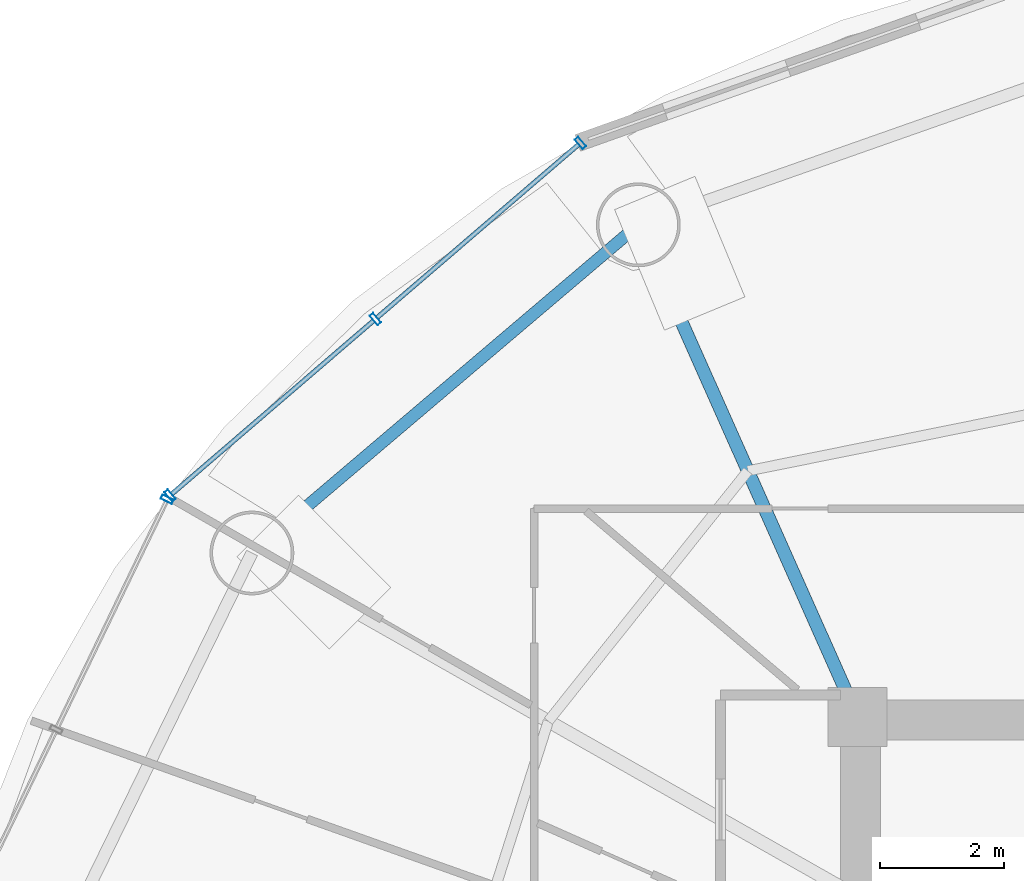
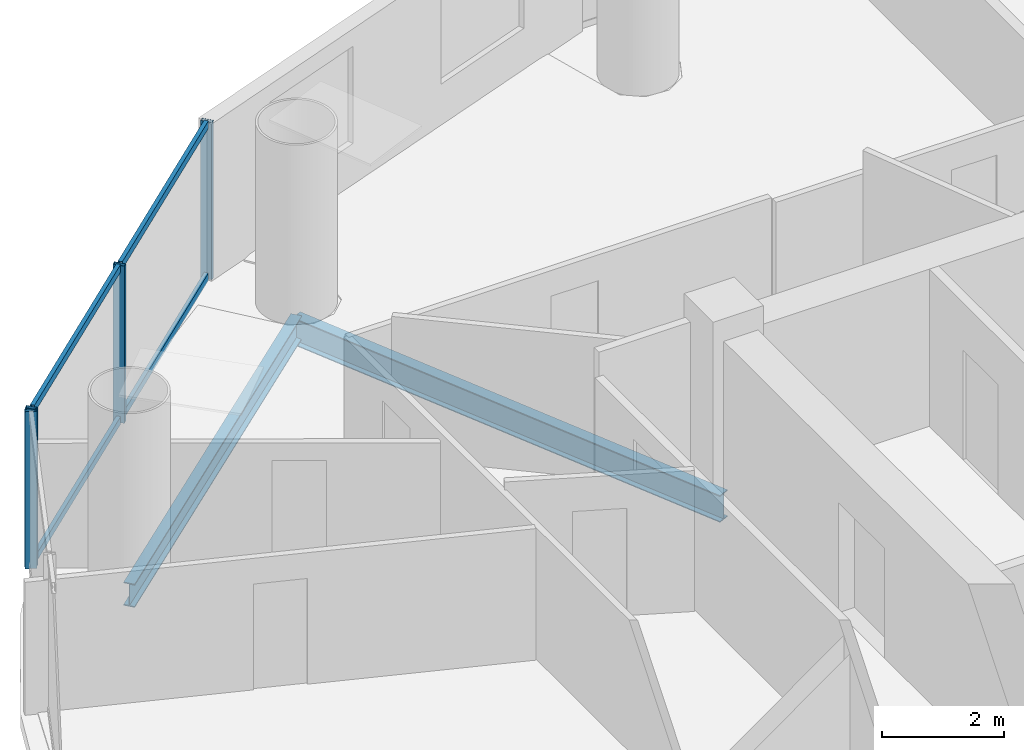
# One storey, part 14 of 26: 8 members, 2 beams, 2 elements without a shape of their own.
"""IFC4 building model written with IfcOpenShell, lengths in metres."""

from ifc_helpers import new_model, si_unit, direction, frame, origin, origin_2d, place, context, subcontext, project, spatial, hollow_rectangle, i_section, extrude, source, transform, mapped, material, material_profile, profile_set, type_object, element, aggregate, save


model = new_model("IFC4")

# Units and contexts
model_context = context("Model", 3, precision=1e-05, world=origin(), true_north=direction((-0.2419218956, 0.970295726276)))
body_context = subcontext(model_context, "Body", "Model", "MODEL_VIEW")
ifc_project = project(units=[si_unit("LENGTHUNIT", "METRE"), si_unit("AREAUNIT", "SQUARE_METRE"), si_unit("VOLUMEUNIT", "CUBIC_METRE"), si_unit("PLANEANGLEUNIT", "RADIAN"), si_unit("MASSUNIT", "GRAM", prefix="KILO")], contexts=[model_context])

# Site, building, storey
site_placement = place(None, origin())
site = spatial("IfcSite", under=ifc_project, at=site_placement, CompositionType="ELEMENT")
building_placement = place(site_placement, origin())
building = spatial("IfcBuilding", under=site, at=building_placement, Name="Cobrevalo Terracotta Tower", CompositionType="ELEMENT")
storey_placement = place(building_placement, frame((0.0, 0.0, 182.199951171875)))
storey = spatial("IfcBuildingStorey", under=building, at=storey_placement, Name="L48", CompositionType="ELEMENT", Elevation=182.199951171875)

# Beams
ifc_material_1 = material(Name="Steel S355", Category="steel")
ifc_material_profile_1 = material_profile(ifc_material_1, i_section(OverallWidth=0.2109375, OverallDepth=0.5390625, WebThickness=0.01171875, FlangeThickness=0.018798828125, at=origin_2d()), Name="W 530x109")
ifc_profile_set_1 = profile_set([ifc_material_profile_1], Name="Steel S355")
beam_type_1 = type_object("IfcBeamType", Name="Structural Beam W 530x109 (Steel S355)", PredefinedType="BEAM", material=ifc_profile_set_1)
beam_1_placement = place(storey_placement, frame((25.471923828125, 42.72265625, -0.53955078125), z_axis=(0.406804395691, -0.913515289224, 0.0), x_axis=(0.913515289224, 0.406804395691, 0.0)))
element("IfcBeam", 1, at=beam_1_placement, inside=storey, type_object=beam_type_1, Name="L48 radial floor girder 06", PredefinedType="BEAM", context=body_context, shape_type="SweptSolid", body=[
    extrude(i_section(OverallWidth=0.2109375, OverallDepth=0.5390625, WebThickness=0.01171875, FlangeThickness=0.018798828125, at=origin_2d()), origin(), (0.0, 0.0, 1.0), 8.672607421875),
])
ifc_material_profile_2 = material_profile(ifc_material_1, i_section(OverallWidth=0.194091796875, OverallDepth=0.468994140625, WebThickness=0.011474609375, FlangeThickness=0.0205078125, at=origin_2d()), Name="W 460x106")
ifc_profile_set_2 = profile_set([ifc_material_profile_2], Name="Steel S355")
beam_type_2 = type_object("IfcBeamType", Name="Structural Spandrel W 460x106 (Steel S355)", PredefinedType="SPANDREL", material=ifc_profile_set_2)
beam_2_placement = place(storey_placement, frame((25.471923828125, 42.72265625, -0.50439453125), z_axis=(-0.762240337798, -0.647294112003, 0.0), x_axis=(0.647294112003, -0.762240337798, 0.0)))
element("IfcBeam", 2, at=beam_2_placement, inside=storey, type_object=beam_type_2, Name="L48 perimeter ring spandrel 06", PredefinedType="SPANDREL", context=body_context, shape_type="SweptSolid", body=[
    extrude(i_section(OverallWidth=0.194091796875, OverallDepth=0.468994140625, WebThickness=0.011474609375, FlangeThickness=0.0205078125, at=origin_2d()), origin(), (0.0, 0.0, 1.0), 8.162353515625),
])

# Curtain wall, members
ifc_material_2 = material(Name="Anodized aluminium", Category="aluminium")
curtain_wall_type = type_object("IfcCurtainWallType", Name="Mid-tower high-wind unitised curtain wall CW-U2", PredefinedType="NOTDEFINED", material=ifc_material_2)
curtain_wall_1_placement = place(storey_placement, origin())
curtain_wall_1 = element("IfcCurtainWall", 3, at=curtain_wall_1_placement, inside=storey, type_object=curtain_wall_type, Name="L48 curtain wall CW-L48-S06", PredefinedType="NOTDEFINED")
ifc_material_profile_3 = material_profile(ifc_material_2, hollow_rectangle(XDim=0.074951171875, YDim=0.14990234375, WallThickness=0.00439453125, at=origin_2d()), Name="CWT 75x150")
ifc_profile_set_3 = profile_set([ifc_material_profile_3], Name="Anodized aluminium")
member_type_1 = type_object("IfcMemberType", Name="Tower unitised aluminium transom 75x150", PredefinedType="USERDEFINED", material=ifc_profile_set_3)
shared_shape_1 = source(origin(), body_context, "Body", "SweptSolid", [
    extrude(hollow_rectangle(XDim=0.074951171875, YDim=0.14990234375, WallThickness=0.00439453125, at=origin_2d()), origin(), (0.0, 0.0, 1.0), 4.276123046875),
])
member_1_placement = place(storey_placement, frame((24.51123046875, 44.017578125, 0.050048828125), z_axis=(-0.758417719247, -0.651768795764, 0.0), x_axis=(0.651768795764, -0.758417719247, 0.0)))
member_1 = element("IfcMember", 4, at=member_1_placement, type_object=member_type_1, Name="CW-L48-S06 transom B01-T1", ObjectType="TRANSOM", PredefinedType="USERDEFINED", context=body_context, shape_type="MappedRepresentation", body=[
    mapped(shared_shape_1, transform((0.0, 0.0, 0.0), scale=1.0)),
])
member_2_placement = place(storey_placement, frame((24.51123046875, 44.017578125, 3.10009765625), z_axis=(-0.758417719247, -0.651768795764, 0.0), x_axis=(0.651768795764, -0.758417719247, 0.0)))
member_2 = element("IfcMember", 5, at=member_2_placement, type_object=member_type_1, Name="CW-L48-S06 transom B01-T2", ObjectType="TRANSOM", PredefinedType="USERDEFINED", context=body_context, shape_type="MappedRepresentation", body=[
    mapped(shared_shape_1, transform((0.0, 0.0, 0.0), scale=1.0)),
])
member_3_placement = place(storey_placement, frame((21.207275390625, 41.17822265625, 0.050048828125), z_axis=(-0.758445941187, -0.65173595443, 0.0), x_axis=(0.65173595443, -0.758445941187, 0.0)))
member_3 = element("IfcMember", 6, at=member_3_placement, type_object=member_type_1, Name="CW-L48-S06 transom B02-T1", ObjectType="TRANSOM", PredefinedType="USERDEFINED", context=body_context, shape_type="MappedRepresentation", body=[
    mapped(shared_shape_1, transform((0.0, 0.0, 0.0), scale=1.0)),
])
member_4_placement = place(storey_placement, frame((21.207275390625, 41.17822265625, 3.10009765625), z_axis=(-0.758445941187, -0.65173595443, 0.0), x_axis=(0.65173595443, -0.758445941187, 0.0)))
member_4 = element("IfcMember", 7, at=member_4_placement, type_object=member_type_1, Name="CW-L48-S06 transom B02-T2", ObjectType="TRANSOM", PredefinedType="USERDEFINED", context=body_context, shape_type="MappedRepresentation", body=[
    mapped(shared_shape_1, transform((0.0, 0.0, 0.0), scale=1.0)),
])
ifc_material_profile_4 = material_profile(ifc_material_2, hollow_rectangle(XDim=0.074951171875, YDim=0.199951171875, WallThickness=0.0048828125, at=origin_2d()), Name="CWM 75x200")
ifc_profile_set_4 = profile_set([ifc_material_profile_4], Name="Anodized aluminium")
member_type_2 = type_object("IfcMemberType", Name="Lower/mid tower unitised mullion 75x200", PredefinedType="MULLION", material=ifc_profile_set_4)
shared_shape_2 = source(origin(), body_context, "Body", "SweptSolid", [
    extrude(hollow_rectangle(XDim=0.074951171875, YDim=0.199951171875, WallThickness=0.0048828125, at=origin_2d()), origin(), (0.0, 0.0, 1.0), 3.150146484375),
])
member_5_placement = place(storey_placement, frame((24.54150390625, 44.04345703125, 0.0), z_axis=(0.0, 0.0, 1.0), x_axis=(-0.758441546142, -0.65174106905, 0.0)))
member_5 = element("IfcMember", 8, at=member_5_placement, type_object=member_type_2, Name="CW-L48-S06 vertical mullion 01", PredefinedType="MULLION", context=body_context, shape_type="MappedRepresentation", body=[
    mapped(shared_shape_2, transform((0.0, 0.0, 0.0), scale=1.0)),
])
member_6_placement = place(storey_placement, frame((21.237548828125, 41.204345703125, 0.0), z_axis=(0.0, 0.0, 1.0), x_axis=(-0.758441546142, -0.65174106905, 0.0)))
member_6 = element("IfcMember", 9, at=member_6_placement, type_object=member_type_2, Name="CW-L48-S06 vertical mullion 02", PredefinedType="MULLION", context=body_context, shape_type="MappedRepresentation", body=[
    mapped(shared_shape_2, transform((0.0, 0.0, 0.0), scale=1.0)),
])
member_7_placement = place(storey_placement, frame((17.933837890625, 38.365234375, 0.0), z_axis=(0.0, 0.0, 1.0), x_axis=(-0.758441546142, -0.65174106905, 0.0)))
member_7 = element("IfcMember", 10, at=member_7_placement, type_object=member_type_2, Name="CW-L48-S06 vertical mullion 03", PredefinedType="MULLION", context=body_context, shape_type="MappedRepresentation", body=[
    mapped(shared_shape_2, transform((0.0, 0.0, 0.0), scale=1.0)),
])
aggregate(curtain_wall_1, [member_5, member_6, member_7, member_1, member_2, member_3, member_4])

# Curtain wall, member
curtain_wall_2_placement = place(storey_placement, origin())
curtain_wall_2 = element("IfcCurtainWall", 11, at=curtain_wall_2_placement, inside=storey, type_object=curtain_wall_type, Name="L48 curtain wall CW-L48-S07", PredefinedType="NOTDEFINED")
member_8_placement = place(storey_placement, frame((17.885986328125, 38.30322265625, 0.0), z_axis=(0.0, 0.0, 1.0), x_axis=(-0.434209440271, -0.900811945957, 0.0)))
member_8 = element("IfcMember", 12, at=member_8_placement, type_object=member_type_2, Name="CW-L48-S07 vertical mullion 01", PredefinedType="MULLION", context=body_context, shape_type="MappedRepresentation", body=[
    mapped(shared_shape_2, transform((0.0, 0.0, 0.0), scale=1.0)),
])
aggregate(curtain_wall_2, [member_8])

save(model, "model.ifc")
